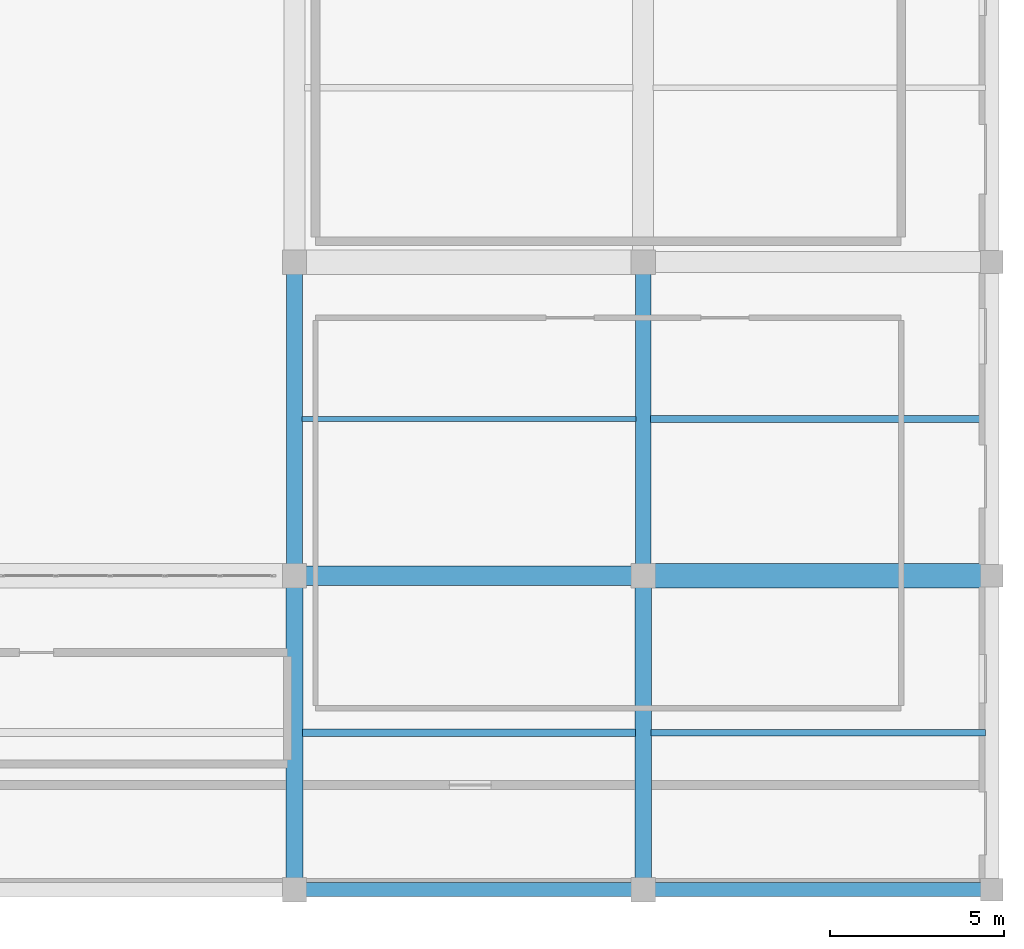
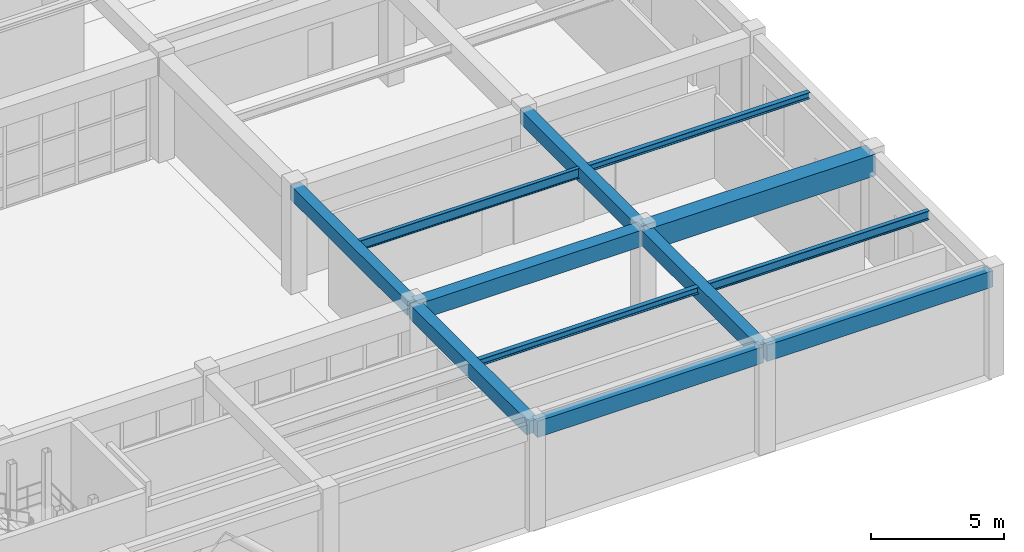
# One storey, part 74 of 128: 12 beams.
"""IFC4 building model written with IfcOpenShell, lengths in metres."""

from ifc_helpers import new_model, si_unit, direction, frame, origin, origin_2d, place, context, subcontext, project, spatial, rectangle, i_section, extrude, material, material_profile, profile_set, type_object, element, save


model = new_model("IFC4")

# Units and contexts
model_context = context("Model", 3, precision=1e-05, world=origin(), true_north=direction((0.0, 1.0)))
body_context = subcontext(model_context, "Body", "Model", "MODEL_VIEW")
ifc_project = project(units=[si_unit("LENGTHUNIT", "METRE"), si_unit("AREAUNIT", "SQUARE_METRE"), si_unit("VOLUMEUNIT", "CUBIC_METRE"), si_unit("PLANEANGLEUNIT", "RADIAN"), si_unit("MASSUNIT", "GRAM", prefix="KILO")], contexts=[model_context])

# Site, building, storey
site_placement = place(None, origin())
site = spatial("IfcSite", under=ifc_project, at=site_placement, CompositionType="ELEMENT")
building_placement = place(site_placement, origin())
building = spatial("IfcBuilding", under=site, at=building_placement, Name="Miravela Opera House", CompositionType="ELEMENT")
storey_placement = place(building_placement, origin())
storey = spatial("IfcBuildingStorey", under=building, at=storey_placement, Name="L00", CompositionType="ELEMENT", Elevation=0.0)

# Beams
ifc_material_1 = material(Name="Concrete C35/45", Category="concrete")
ifc_material_profile_1 = material_profile(ifc_material_1, rectangle(XDim=0.449951171875, YDim=0.64990234375, at=origin_2d()), Name="RC-BM-450X650")
ifc_profile_set_1 = profile_set([ifc_material_profile_1])
beam_type_1 = type_object("IfcBeamType", Name="STR-BM-RC450X650", PredefinedType="BEAM", material=ifc_profile_set_1)
for number, where, z_axis, x_axis, name in (
    (1, (144.0, 9.080078125, 4.52490234375), (0.0, 1.0, 0.0), (-1.0, 0.0, 0.0), "Floor Girder L00 17/B-C"),
    (2, (154.0, 9.080078125, 4.52490234375), (0.0, 1.0, 0.0), (-1.0, 0.0, 0.0), "Floor Girder L00 18/B-C"),
):
    element("IfcBeam", number, at=place(storey_placement, frame(where, z_axis=z_axis, x_axis=x_axis)), inside=storey, type_object=beam_type_1, Name=name, PredefinedType="BEAM", context=body_context, shape_type="SweptSolid", body=[
        extrude(rectangle(XDim=0.449951171875, YDim=0.64990234375, at=origin_2d()), origin(), (0.0, 0.0, 1.0), 8.83984375),
    ])
ifc_material_profile_2 = material_profile(ifc_material_1, rectangle(XDim=0.47998046875, YDim=0.679931640625, at=origin_2d()), Name="RC-BM-480X680")
ifc_profile_set_2 = profile_set([ifc_material_profile_2])
beam_type_2 = type_object("IfcBeamType", Name="STR-BM-RC480X680", PredefinedType="BEAM", material=ifc_profile_set_2)
for number, where, z_axis, x_axis, name in (
    (3, (144.0, 0.080078125, 4.510009765625), (0.0, 1.0, 0.0), (-1.0, 0.0, 0.0), "Floor Girder L00 17/A-B"),
    (4, (154.0, 0.080078125, 4.510009765625), (0.0, 1.0, 0.0), (-1.0, 0.0, 0.0), "Floor Girder L00 18/A-B"),
):
    element("IfcBeam", number, at=place(storey_placement, frame(where, z_axis=z_axis, x_axis=x_axis)), inside=storey, type_object=beam_type_2, Name=name, PredefinedType="BEAM", context=body_context, shape_type="SweptSolid", body=[
        extrude(rectangle(XDim=0.47998046875, YDim=0.679931640625, at=origin_2d()), origin(), (0.0, 0.0, 1.0), 8.83984375),
    ])
ifc_material_profile_3 = material_profile(ifc_material_1, rectangle(XDim=0.550048828125, YDim=0.75, at=origin_2d()), Name="RC-BM-550X750")
ifc_profile_set_3 = profile_set([ifc_material_profile_3])
beam_type_3 = type_object("IfcBeamType", Name="STR-BM-RC550X750", PredefinedType="BEAM", material=ifc_profile_set_3)
beam_1_placement = place(storey_placement, frame((144.080078125, 9.0, 4.47509765625), z_axis=(1.0, 0.0, 0.0), x_axis=(0.0, 1.0, 0.0)))
element("IfcBeam", 5, at=beam_1_placement, inside=storey, type_object=beam_type_3, Name="Floor Girder L00 17-18/B", PredefinedType="BEAM", context=body_context, shape_type="SweptSolid", body=[
    extrude(rectangle(XDim=0.550048828125, YDim=0.75, at=origin_2d()), origin(), (0.0, 0.0, 1.0), 9.83984375),
])
ifc_material_2 = material(Name="Concrete C40/50", Category="concrete")
ifc_material_profile_4 = material_profile(ifc_material_2, rectangle(XDim=0.699951171875, YDim=1.0, at=origin_2d()), Name="RC-BM-700X1000")
ifc_profile_set_4 = profile_set([ifc_material_profile_4])
beam_type_4 = type_object("IfcBeamType", Name="STR-BM-RC700X1000", PredefinedType="BEAM", material=ifc_profile_set_4)
beam_2_placement = place(storey_placement, frame((154.080078125, 9.0, 4.35009765625), z_axis=(1.0, 0.0, 0.0), x_axis=(0.0, 1.0, 0.0)))
element("IfcBeam", 6, at=beam_2_placement, inside=storey, type_object=beam_type_4, Name="Floor Girder L00 18-19/B", PredefinedType="BEAM", context=body_context, shape_type="SweptSolid", body=[
    extrude(rectangle(XDim=0.699951171875, YDim=1.0, at=origin_2d()), origin(), (0.0, 0.0, 1.0), 9.83984375),
])
ifc_material_3 = material(Name="Structural steel ASTM A992 Gr. 50", Category="steel")
ifc_material_profile_5 = material_profile(ifc_material_3, i_section(OverallWidth=0.202880859375, OverallDepth=0.302978515625, WebThickness=0.007568359375, FlangeThickness=0.01318359375, FilletRadius=0.012939453125, at=origin_2d()), Name="W310X60")
ifc_profile_set_5 = profile_set([ifc_material_profile_5])
beam_type_5 = type_object("IfcBeamType", Name="STR-BM-W310X60", PredefinedType="JOIST", material=ifc_profile_set_5)
beam_3_placement = place(storey_placement, frame((144.22509765625, 4.5, 4.698486328125), z_axis=(1.0, 0.0, 0.0), x_axis=(0.0, 1.0, 0.0)))
element("IfcBeam", 7, at=beam_3_placement, inside=storey, type_object=beam_type_5, Name="Secondary Floor Joist L00 17-18/A-B", PredefinedType="JOIST", context=body_context, shape_type="SweptSolid", body=[
    extrude(i_section(OverallWidth=0.202880859375, OverallDepth=0.302978515625, WebThickness=0.007568359375, FlangeThickness=0.01318359375, FilletRadius=0.012939453125, at=origin_2d()), origin(), (0.0, 0.0, 1.0), 9.5498046875),
])
beam_4_placement = place(storey_placement, frame((154.2099609375, 13.5, 4.698486328125), z_axis=(1.0, 0.0, 0.0), x_axis=(0.0, 1.0, 0.0)))
element("IfcBeam", 8, at=beam_4_placement, inside=storey, type_object=beam_type_5, Name="Secondary Floor Joist L00 18-19/B-C", PredefinedType="JOIST", context=body_context, shape_type="SweptSolid", body=[
    extrude(i_section(OverallWidth=0.202880859375, OverallDepth=0.302978515625, WebThickness=0.007568359375, FlangeThickness=0.01318359375, FilletRadius=0.012939453125, at=origin_2d()), origin(), (0.0, 0.0, 1.0), 9.60498046875),
])
ifc_material_profile_6 = material_profile(ifc_material_3, i_section(OverallWidth=0.180908203125, OverallDepth=0.4169921875, WebThickness=0.010986328125, FlangeThickness=0.018310546875, FilletRadius=0.013916015625, at=origin_2d()), Name="W410X85")
ifc_profile_set_6 = profile_set([ifc_material_profile_6])
beam_type_6 = type_object("IfcBeamType", Name="STR-BM-W410X85", PredefinedType="JOIST", material=ifc_profile_set_6)
beam_5_placement = place(storey_placement, frame((154.22509765625, 4.5, 4.6416015625), z_axis=(1.0, 0.0, 0.0), x_axis=(0.0, 1.0, 0.0)))
element("IfcBeam", 9, at=beam_5_placement, inside=storey, type_object=beam_type_6, Name="Secondary Floor Joist L00 18-19/A-B", PredefinedType="JOIST", context=body_context, shape_type="SweptSolid", body=[
    extrude(i_section(OverallWidth=0.180908203125, OverallDepth=0.4169921875, WebThickness=0.010986328125, FlangeThickness=0.018310546875, FilletRadius=0.013916015625, at=origin_2d()), origin(), (0.0, 0.0, 1.0), 9.58984375),
])
ifc_material_profile_7 = material_profile(ifc_material_3, i_section(OverallWidth=0.154052734375, OverallDepth=0.458984375, WebThickness=0.009033203125, FlangeThickness=0.015380859375, FilletRadius=0.013916015625, at=origin_2d()), Name="W460X68")
ifc_profile_set_7 = profile_set([ifc_material_profile_7])
beam_type_7 = type_object("IfcBeamType", Name="STR-BM-W460X68", PredefinedType="JOIST", material=ifc_profile_set_7)
beam_6_placement = place(storey_placement, frame((144.2099609375, 13.5, 4.62060546875), z_axis=(1.0, 0.0, 0.0), x_axis=(0.0, 1.0, 0.0)))
element("IfcBeam", 10, at=beam_6_placement, inside=storey, type_object=beam_type_7, Name="Secondary Floor Joist L00 17-18/B-C", PredefinedType="JOIST", context=body_context, shape_type="SweptSolid", body=[
    extrude(i_section(OverallWidth=0.154052734375, OverallDepth=0.458984375, WebThickness=0.009033203125, FlangeThickness=0.015380859375, FilletRadius=0.013916015625, at=origin_2d()), origin(), (0.0, 0.0, 1.0), 9.580078125),
])
ifc_material_profile_8 = material_profile(ifc_material_1, rectangle(XDim=0.39990234375, YDim=0.75, at=origin_2d()), Name="RC-SPN-400X750")
ifc_profile_set_8 = profile_set([ifc_material_profile_8])
beam_type_8 = type_object("IfcBeamType", Name="STR-SPN-RC400X750", PredefinedType="SPANDREL", material=ifc_profile_set_8)
for number, where, z_axis, x_axis, name in (
    (11, (144.080078125, 0.0, 4.47509765625), (1.0, 0.0, 0.0), (0.0, 1.0, 0.0), "Floor Girder L00 17-18/A"),
    (12, (154.080078125, 0.0, 4.47509765625), (1.0, 0.0, 0.0), (0.0, 1.0, 0.0), "Floor Girder L00 18-19/A"),
):
    element("IfcBeam", number, at=place(storey_placement, frame(where, z_axis=z_axis, x_axis=x_axis)), inside=storey, type_object=beam_type_8, Name=name, PredefinedType="SPANDREL", context=body_context, shape_type="SweptSolid", body=[
        extrude(rectangle(XDim=0.39990234375, YDim=0.75, at=origin_2d()), origin(), (0.0, 0.0, 1.0), 9.83984375),
    ])

save(model, "model.ifc")
